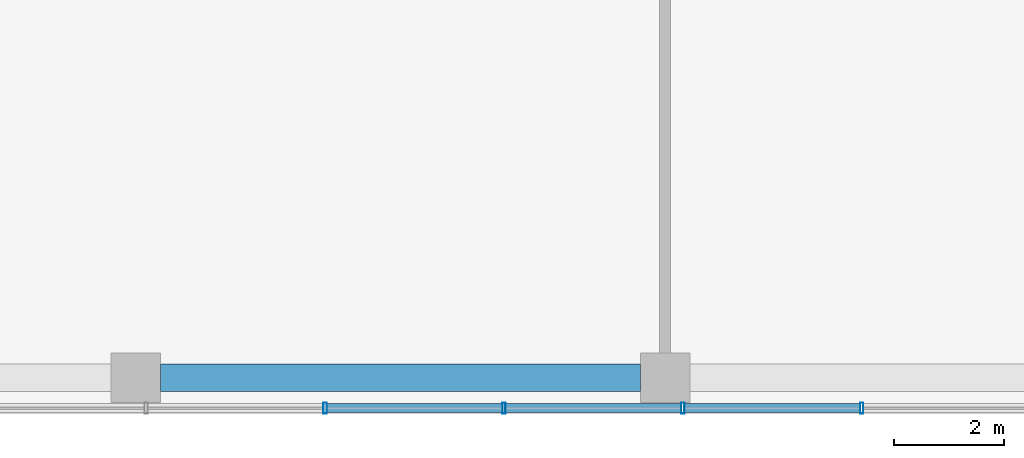
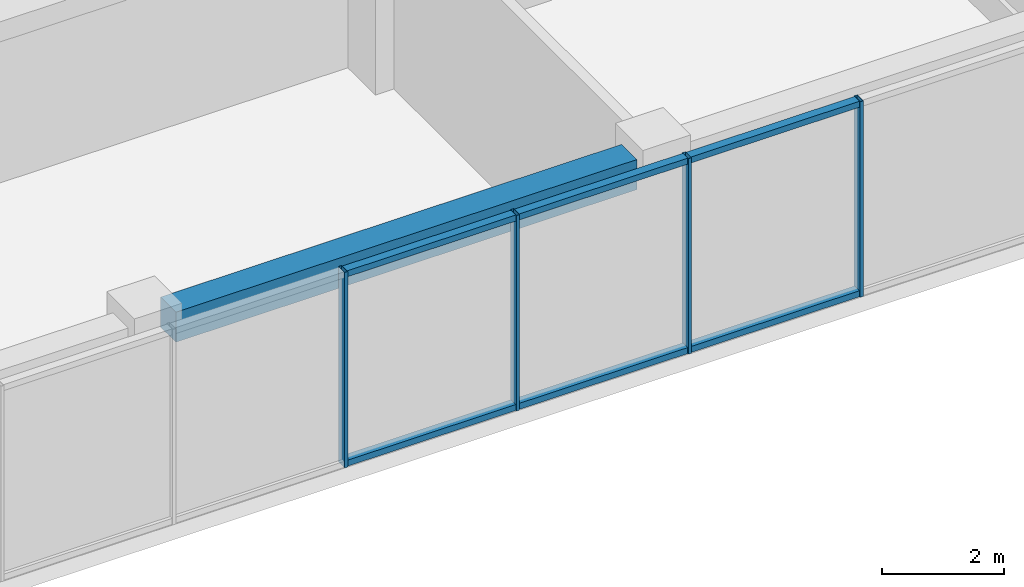
# One storey, part 11 of 37: 10 members, 1 beam, 1 element without a shape of its own.
"""IFC4 building model written with IfcOpenShell, lengths in metres."""

from ifc_helpers import new_model, si_unit, direction, frame, origin, origin_2d, place, context, subcontext, project, spatial, rectangle, hollow_rectangle, extrude, material, layer, layer_set, material_profile, profile_set, type_object, element, aggregate, save


model = new_model("IFC4")

# Units and contexts
model_context = context("Model", 3, precision=1e-05, world=origin(), true_north=direction((0.0, 1.0)))
body_context = subcontext(model_context, "Body", "Model", "MODEL_VIEW")
ifc_project = project(units=[si_unit("LENGTHUNIT", "METRE"), si_unit("AREAUNIT", "SQUARE_METRE"), si_unit("VOLUMEUNIT", "CUBIC_METRE"), si_unit("PLANEANGLEUNIT", "RADIAN"), si_unit("MASSUNIT", "GRAM", prefix="KILO")], contexts=[model_context])

# Site, building, storey
site_placement = place(None, origin())
site = spatial("IfcSite", under=ifc_project, at=site_placement, CompositionType="ELEMENT")
building_placement = place(site_placement, origin())
building = spatial("IfcBuilding", under=site, at=building_placement, Name="Nzadi Deep Aquarium and Research Tower", CompositionType="ELEMENT")
storey_placement = place(building_placement, frame((0.0, 0.0, 57.10009765625)))
storey = spatial("IfcBuildingStorey", under=building, at=storey_placement, Name="L11", CompositionType="ELEMENT", Elevation=57.10009765625)

# Curtain wall, members
ifc_material_1 = material(Name="Aluminium unitised frame", Category="aluminium")
ifc_layer = layer(ifc_material_1, 0.199951171875)
ifc_layer_set = layer_set([ifc_layer], Name="Aluminium unitised frame")
curtain_wall_type = type_object("IfcCurtainWallType", Name="Curtain wall Unitised 200", PredefinedType="NOTDEFINED", material=ifc_layer_set)
curtain_wall_placement = place(storey_placement, origin())
curtain_wall = element("IfcCurtainWall", 1, at=curtain_wall_placement, inside=storey, type_object=curtain_wall_type, Name="Unitised curtain wall blade A south L11", PredefinedType="NOTDEFINED")
ifc_material_2 = material(Name="Aluminium unitised frame", Category="aluminium")
ifc_material_profile_1 = material_profile(ifc_material_2, hollow_rectangle(XDim=0.199951171875, YDim=0.06005859375, WallThickness=0.0048828125, at=origin_2d()))
ifc_profile_set_1 = profile_set([ifc_material_profile_1], Name="Aluminium unitised frame")
member_type_1 = type_object("IfcMemberType", Name="Mullion 60x200 Unitised", PredefinedType="MULLION", material=ifc_profile_set_1)
member_1_placement = place(storey_placement, frame((32.2333984375, -0.10009765625, 0.0), z_axis=(0.0, 0.0, 1.0), x_axis=(0.0, 1.0, 0.0)))
member_1 = element("IfcMember", 2, at=member_1_placement, type_object=member_type_1, Name="CW043 mullion 11", PredefinedType="MULLION", context=body_context, shape_type="SweptSolid", body=[
    extrude(hollow_rectangle(XDim=0.199951171875, YDim=0.06005859375, WallThickness=0.0048828125, at=origin_2d()), origin(), (0.0, 0.0, 1.0), 3.89990234375),
])
member_2_placement = place(storey_placement, frame((35.4765625, -0.10009765625, 0.0), z_axis=(0.0, 0.0, 1.0), x_axis=(0.0, 1.0, 0.0)))
member_2 = element("IfcMember", 3, at=member_2_placement, type_object=member_type_1, Name="CW043 mullion 12", PredefinedType="MULLION", context=body_context, shape_type="SweptSolid", body=[
    extrude(hollow_rectangle(XDim=0.199951171875, YDim=0.06005859375, WallThickness=0.0048828125, at=origin_2d()), origin(), (0.0, 0.0, 1.0), 3.89990234375),
])
member_3_placement = place(storey_placement, frame((38.719970703125, -0.10009765625, 0.0), z_axis=(0.0, 0.0, 1.0), x_axis=(0.0, 1.0, 0.0)))
member_3 = element("IfcMember", 4, at=member_3_placement, type_object=member_type_1, Name="CW043 mullion 13", PredefinedType="MULLION", context=body_context, shape_type="SweptSolid", body=[
    extrude(hollow_rectangle(XDim=0.199951171875, YDim=0.06005859375, WallThickness=0.0048828125, at=origin_2d()), origin(), (0.0, 0.0, 1.0), 3.89990234375),
])
member_4_placement = place(storey_placement, frame((41.96337890625, -0.10009765625, 0.0), z_axis=(0.0, 0.0, 1.0), x_axis=(0.0, 1.0, 0.0)))
member_4 = element("IfcMember", 5, at=member_4_placement, type_object=member_type_1, Name="CW043 mullion 14", PredefinedType="MULLION", context=body_context, shape_type="SweptSolid", body=[
    extrude(hollow_rectangle(XDim=0.199951171875, YDim=0.06005859375, WallThickness=0.0048828125, at=origin_2d()), origin(), (0.0, 0.0, 1.0), 3.89990234375),
])

# Beam
ifc_material_3 = material(Name="Concrete C35/45", Category="concrete")
ifc_material_profile_2 = material_profile(ifc_material_3, rectangle(XDim=0.5, YDim=0.60009765625, at=origin_2d()))
ifc_profile_set_2 = profile_set([ifc_material_profile_2], Name="Concrete C35/45")
beam_type = type_object("IfcBeamType", Name="RC 500x600", PredefinedType="BEAM", material=ifc_profile_set_2)
beam_placement = place(storey_placement, frame((29.25, 0.449951171875, 3.599853515625), z_axis=(1.0, 0.0, 0.0), x_axis=(0.0, 1.0, 0.0)))
element("IfcBeam", 6, at=beam_placement, inside=storey, type_object=beam_type, Name="B-Z1-L11-L1-4", PredefinedType="BEAM", context=body_context, shape_type="SweptSolid", body=[
    extrude(rectangle(XDim=0.5, YDim=0.60009765625, at=origin_2d()), origin(), (0.0, 0.0, 1.0), 8.699951171875),
])

# Member
ifc_material_4 = material(Name="Aluminium unitised frame", Category="aluminium")
ifc_material_profile_3 = material_profile(ifc_material_4, hollow_rectangle(XDim=0.159912109375, YDim=0.1201171875, WallThickness=0.0048828125, at=origin_2d()))
ifc_profile_set_3 = profile_set([ifc_material_profile_3], Name="Aluminium unitised frame")
member_type_2 = type_object("IfcMemberType", Name="Transom 120x160 Unitised", PredefinedType="MULLION", material=ifc_profile_set_3)
member_5_placement = place(storey_placement, frame((32.263427734375, -0.10009765625, 0.059814453125), z_axis=(1.0, 0.0, 0.0), x_axis=(0.0, 1.0, 0.0)))
member_5 = element("IfcMember", 7, at=member_5_placement, type_object=member_type_2, Name="CW043 transom 11.1", PredefinedType="MULLION", context=body_context, shape_type="SweptSolid", body=[
    extrude(hollow_rectangle(XDim=0.159912109375, YDim=0.1201171875, WallThickness=0.0048828125, at=origin_2d()), origin(), (0.0, 0.0, 1.0), 3.183349609375),
])

member_6_placement = place(storey_placement, frame((32.263427734375, -0.10009765625, 3.83984375), z_axis=(1.0, 0.0, 0.0), x_axis=(0.0, 1.0, 0.0)))
member_6 = element("IfcMember", 8, at=member_6_placement, type_object=member_type_2, Name="CW043 transom 11.2", PredefinedType="MULLION", context=body_context, shape_type="SweptSolid", body=[
    extrude(hollow_rectangle(XDim=0.159912109375, YDim=0.1201171875, WallThickness=0.0048828125, at=origin_2d()), origin(), (0.0, 0.0, 1.0), 3.183349609375),
])

member_7_placement = place(storey_placement, frame((35.506591796875, -0.10009765625, 0.059814453125), z_axis=(1.0, 0.0, 0.0), x_axis=(0.0, 1.0, 0.0)))
member_7 = element("IfcMember", 9, at=member_7_placement, type_object=member_type_2, Name="CW043 transom 12.1", PredefinedType="MULLION", context=body_context, shape_type="SweptSolid", body=[
    extrude(hollow_rectangle(XDim=0.159912109375, YDim=0.1201171875, WallThickness=0.0048828125, at=origin_2d()), origin(), (0.0, 0.0, 1.0), 3.183349609375),
])

member_8_placement = place(storey_placement, frame((35.506591796875, -0.10009765625, 3.83984375), z_axis=(1.0, 0.0, 0.0), x_axis=(0.0, 1.0, 0.0)))
member_8 = element("IfcMember", 10, at=member_8_placement, type_object=member_type_2, Name="CW043 transom 12.2", PredefinedType="MULLION", context=body_context, shape_type="SweptSolid", body=[
    extrude(hollow_rectangle(XDim=0.159912109375, YDim=0.1201171875, WallThickness=0.0048828125, at=origin_2d()), origin(), (0.0, 0.0, 1.0), 3.183349609375),
])

member_9_placement = place(storey_placement, frame((38.75, -0.10009765625, 0.059814453125), z_axis=(1.0, 0.0, 0.0), x_axis=(0.0, 1.0, 0.0)))
member_9 = element("IfcMember", 11, at=member_9_placement, type_object=member_type_2, Name="CW043 transom 13.1", PredefinedType="MULLION", context=body_context, shape_type="SweptSolid", body=[
    extrude(hollow_rectangle(XDim=0.159912109375, YDim=0.1201171875, WallThickness=0.0048828125, at=origin_2d()), origin(), (0.0, 0.0, 1.0), 3.183349609375),
])

member_10_placement = place(storey_placement, frame((38.75, -0.10009765625, 3.83984375), z_axis=(1.0, 0.0, 0.0), x_axis=(0.0, 1.0, 0.0)))
member_10 = element("IfcMember", 12, at=member_10_placement, type_object=member_type_2, Name="CW043 transom 13.2", PredefinedType="MULLION", context=body_context, shape_type="SweptSolid", body=[
    extrude(hollow_rectangle(XDim=0.159912109375, YDim=0.1201171875, WallThickness=0.0048828125, at=origin_2d()), origin(), (0.0, 0.0, 1.0), 3.183349609375),
])

aggregate(curtain_wall, [member_1, member_2, member_3, member_4, member_5, member_6, member_7, member_8, member_9, member_10])

save(model, "model.ifc")
